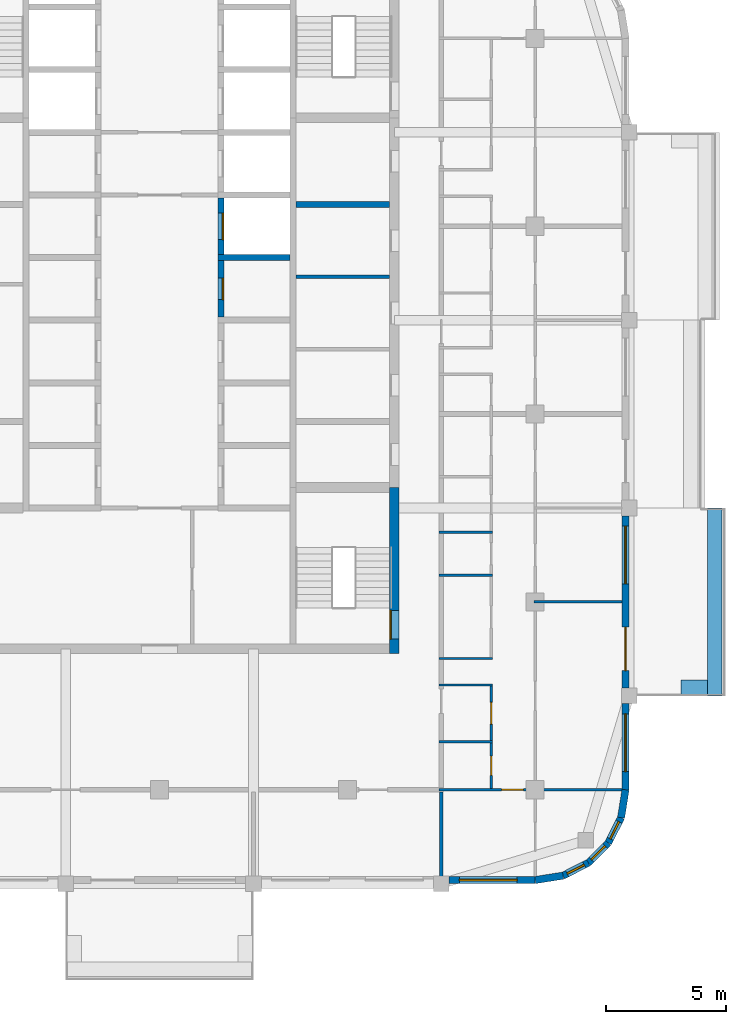
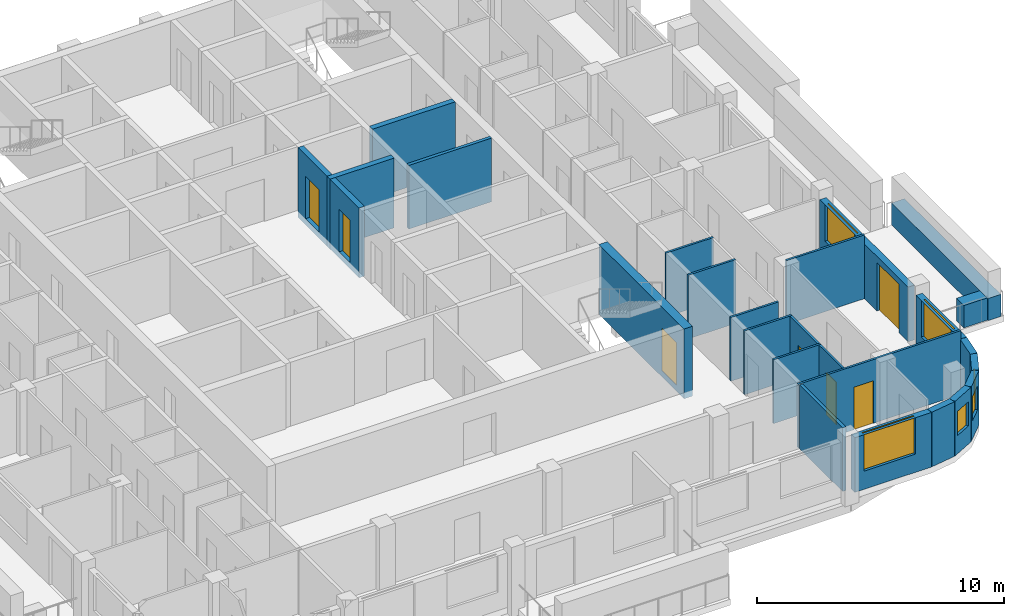
# One storey, part 5 of 13: 25 walls, 7 doors, 6 windows, 13 openings.
"""IFC4 building model written with IfcOpenShell, lengths in metres."""

from ifc_helpers import new_model, si_unit, direction, frame, frame_2d, origin, place, context, subcontext, project, spatial, rectangle, extrude, material, layer, layer_set, type_object, element, fill, save


model = new_model("IFC4")

# Units and contexts
model_context = context("Model", 3, precision=1e-05, world=origin(), true_north=direction((0.0, 1.0)))
body_context = subcontext(model_context, "Body", "Model", "MODEL_VIEW")
ifc_project = project(units=[si_unit("LENGTHUNIT", "METRE"), si_unit("AREAUNIT", "SQUARE_METRE"), si_unit("VOLUMEUNIT", "CUBIC_METRE"), si_unit("PLANEANGLEUNIT", "RADIAN"), si_unit("MASSUNIT", "GRAM", prefix="KILO")], contexts=[model_context])

# Site, building, storey
site_placement = place(None, origin())
site = spatial("IfcSite", under=ifc_project, at=site_placement, CompositionType="ELEMENT")
building_placement = place(site_placement, origin())
building = spatial("IfcBuilding", under=site, at=building_placement, Name="Ludao Terraces", CompositionType="ELEMENT")
storey_placement = place(building_placement, frame((0.0, 0.0, 246.0)))
storey = spatial("IfcBuildingStorey", under=building, at=storey_placement, Name="L67", CompositionType="ELEMENT", Elevation=246.0)

# Wall, opening, door
ifc_material_1 = material(Name="Concrete C50", Category="concrete")
ifc_layer_1 = layer(ifc_material_1, 0.39990234375)
ifc_layer_set_1 = layer_set([ifc_layer_1], Name="Core wall 400 C50")
wall_type_1 = type_object("IfcWallType", Name="Core wall 400 C50", PredefinedType="SOLIDWALL", material=ifc_layer_set_1)
wall_1_placement = place(storey_placement, frame((94.75, 55.050048828125, -0.300048828125), z_axis=(0.0, 0.0, 1.0), x_axis=(0.0, 1.0, 0.0)))
wall_1 = element("IfcWall", 1, at=wall_1_placement, inside=storey, type_object=wall_type_1, Name="Core wall L67 outer-E-S3", PredefinedType="SOLIDWALL", context=body_context, shape_type="SweptSolid", body=[
    extrude(rectangle(XDim=6.89990234375, YDim=0.39990234375, at=frame_2d((3.449951171875, 0.0))), origin(), (0.0, 0.0, 1.0), 3.449951171875),
])
opening_1_placement = place(wall_1_placement, frame((0.60009765625, 0.0, 0.300048828125)))
opening_1 = element("IfcOpeningElement", 2, at=opening_1_placement, cuts=wall_1, Name="Opening R24-017", PredefinedType="OPENING", context=body_context, shape_type="SweptSolid", body=[
    extrude(rectangle(XDim=1.199951171875, YDim=2.10009765625, at=frame_2d((0.60009765625, 1.050048828125))), frame((0.0, 0.2099609375, 0.0), z_axis=(0.0, -1.0, 0.0), x_axis=(1.0, 0.0, 0.0)), (0.0, 0.0, 1.0), 0.419921875),
])
ifc_material_2 = material(Name="Steel Q235", Category="steel")
door_type_1 = type_object("IfcDoorType", Name="INT Stair door 1200", OperationType="DOUBLE_DOOR_SINGLE_SWING", PredefinedType="DOOR", material=ifc_material_2)
door_1_placement = place(opening_1_placement, origin())
door_1 = element("IfcDoor", 3, at=door_1_placement, inside=storey, type_object=door_type_1, Name="DOOR 017", OperationType="DOUBLE_DOOR_SINGLE_SWING", OverallHeight=2.10009765625, OverallWidth=1.199951171875, PredefinedType="DOOR", context=body_context, shape_type="SweptSolid", body=[
    extrude(rectangle(XDim=1.199951171875, YDim=2.10009765625, at=frame_2d((0.60009765625, 1.050048828125))), frame((0.0, 0.18505859375, 0.0), z_axis=(0.0, -1.0, 0.0), x_axis=(1.0, 0.0, 0.0)), (0.0, 0.0, 1.0), 0.050048828125),
])
fill(opening_1, door_1)

# Walls
ifc_material_3 = material(Name="Concrete C40", Category="concrete")
ifc_layer_2 = layer(ifc_material_3, 0.60009765625)
ifc_layer_set_2 = layer_set([ifc_layer_2], Name="ENV Planter trough 600")
wall_type_2 = type_object("IfcWallType", Name="ENV Planter trough 600", PredefinedType="USERDEFINED", material=ifc_layer_set_2)
wall_2_placement = place(storey_placement, frame((108.050048828125, 53.300048828125, 0.0), z_axis=(0.0, 0.0, 1.0), x_axis=(0.0, 1.0, 0.0)))
element("IfcWall", 4, at=wall_2_placement, inside=storey, type_object=wall_type_2, Name="PL-L67-E1", ObjectType="PLANTER", PredefinedType="USERDEFINED", context=body_context, shape_type="SweptSolid", body=[
    extrude(rectangle(XDim=7.800048828125, YDim=0.60009765625, at=frame_2d((3.89990234375, 0.0))), origin(), (0.0, 0.0, 1.0), 1.10009765625),
])
wall_3_placement = place(storey_placement, frame((107.75, 53.64990234375, 0.0), z_axis=(0.0, 0.0, 1.0), x_axis=(-1.0, 0.0, 0.0)))
element("IfcWall", 5, at=wall_3_placement, inside=storey, type_object=wall_type_2, Name="PL-L67-E1-SA", ObjectType="PLANTER", PredefinedType="USERDEFINED", context=body_context, shape_type="SweptSolid", body=[
    extrude(rectangle(XDim=1.10009765625, YDim=0.60009765625, at=frame_2d((0.550048828125, 0.0))), origin(), (0.0, 0.0, 1.0), 1.10009765625),
])

# Wall, opening, window
ifc_material_4 = material(Name="Granite cladding", Category="masonry")
ifc_layer_3 = layer(ifc_material_4, 0.0400390625, Category="stone")
ifc_material_5 = material(Name="Mineral wool")
ifc_layer_4 = layer(ifc_material_5, 0.06005859375)
ifc_layer_5 = layer(ifc_material_3, 0.199951171875, Category="concrete")
ifc_layer_set_3 = layer_set([ifc_layer_3, ifc_layer_4, ifc_layer_5], Name="ENV Stone-clad wall 300")
wall_type_3 = type_object("IfcWallType", Name="ENV Stone-clad wall 300", PredefinedType="SOLIDWALL", material=ifc_layer_set_3)
wall_4_placement = place(storey_placement, frame((97.02490234375, 45.64990234375, 0.0), z_axis=(0.0, 0.0, 1.0), x_axis=(1.0, 0.0, 0.0)))
wall_4 = element("IfcWall", 6, at=wall_4_placement, inside=storey, type_object=wall_type_3, Name="EW-L67-S5", PredefinedType="SOLIDWALL", context=body_context, shape_type="SweptSolid", body=[
    extrude(rectangle(XDim=3.5751953125, YDim=0.300048828125, at=frame_2d((1.78759765625, 0.0))), origin(), (0.0, 0.0, 1.0), 2.699951171875),
])
opening_2_placement = place(wall_4_placement, frame((0.425048828125, 0.0, 0.89990234375)))
opening_2 = element("IfcOpeningElement", 7, at=opening_2_placement, cuts=wall_4, Name="Opening W1", PredefinedType="OPENING", context=body_context, shape_type="SweptSolid", body=[
    extrude(rectangle(XDim=2.39990234375, YDim=1.800048828125, at=frame_2d((1.199951171875, 0.89990234375))), frame((0.0, 0.16015625, 0.0), z_axis=(0.0, -1.0, 0.0), x_axis=(1.0, 0.0, 0.0)), (0.0, 0.0, 1.0), 0.320068359375),
])
ifc_material_6 = material(Name="Clear glass in aluminium frame", Category="aluminium")
ifc_layer_6 = layer(ifc_material_6, 0.06005859375)
ifc_layer_set_4 = layer_set([ifc_layer_6], Name="ENV Window W1 2400x1800")
window_type_1 = type_object("IfcWindowType", Name="ENV Window W1 2400x1800", PartitioningType="DOUBLE_PANEL_VERTICAL", PredefinedType="WINDOW", material=ifc_layer_set_4)
window_1_placement = place(opening_2_placement, origin())
window_1 = element("IfcWindow", 8, at=window_1_placement, inside=storey, type_object=window_type_1, Name="W-L67-S5-1", OverallHeight=1.800048828125, OverallWidth=2.39990234375, PartitioningType="DOUBLE_PANEL_VERTICAL", PredefinedType="WINDOW", context=body_context, shape_type="SweptSolid", body=[
    extrude(rectangle(XDim=2.39990234375, YDim=1.800048828125, at=frame_2d((1.199951171875, 0.89990234375))), frame((0.0, 0.030029296875, 0.0), z_axis=(0.0, -1.0, 0.0), x_axis=(1.0, 0.0, 0.0)), (0.0, 0.0, 1.0), 0.06005859375),
])
fill(opening_2, window_1)

wall_5_placement = place(storey_placement, frame((104.35009765625, 49.39990234375, 0.0), z_axis=(0.0, 0.0, 1.0), x_axis=(0.0, 1.0, 0.0)))
wall_5 = element("IfcWall", 9, at=wall_5_placement, inside=storey, type_object=wall_type_3, Name="EW-L67-E1", PredefinedType="SOLIDWALL", context=body_context, shape_type="SweptSolid", body=[
    extrude(rectangle(XDim=3.5751953125, YDim=0.300048828125, at=frame_2d((1.78759765625, 0.0))), origin(), (0.0, 0.0, 1.0), 2.699951171875),
])
opening_3_placement = place(wall_5_placement, frame((0.75, 0.0, 0.89990234375)))
opening_3 = element("IfcOpeningElement", 10, at=opening_3_placement, cuts=wall_5, Name="Opening W1", PredefinedType="OPENING", context=body_context, shape_type="SweptSolid", body=[
    extrude(rectangle(XDim=2.39990234375, YDim=1.800048828125, at=frame_2d((1.199951171875, 0.89990234375))), frame((0.0, 0.16015625, 0.0), z_axis=(0.0, -1.0, 0.0), x_axis=(1.0, 0.0, 0.0)), (0.0, 0.0, 1.0), 0.320068359375),
])
window_2_placement = place(opening_3_placement, origin())
window_2 = element("IfcWindow", 11, at=window_2_placement, inside=storey, type_object=window_type_1, Name="W-L67-E1-1", OverallHeight=1.800048828125, OverallWidth=2.39990234375, PartitioningType="DOUBLE_PANEL_VERTICAL", PredefinedType="WINDOW", context=body_context, shape_type="SweptSolid", body=[
    extrude(rectangle(XDim=2.39990234375, YDim=1.800048828125, at=frame_2d((1.199951171875, 0.89990234375))), frame((0.0, 0.030029296875, 0.0), z_axis=(0.0, -1.0, 0.0), x_axis=(1.0, 0.0, 0.0)), (0.0, 0.0, 1.0), 0.06005859375),
])
fill(opening_3, window_2)

# Wall, openings, door, window
wall_6_placement = place(storey_placement, frame((104.35009765625, 53.625, 0.0), z_axis=(0.0, 0.0, 1.0), x_axis=(0.0, 1.0, 0.0)))
wall_6 = element("IfcWall", 12, at=wall_6_placement, inside=storey, type_object=wall_type_3, Name="EW-L67-E2", PredefinedType="SOLIDWALL", context=body_context, shape_type="SweptSolid", body=[
    extrude(rectangle(XDim=7.14990234375, YDim=0.300048828125, at=frame_2d((3.574951171875, 0.0))), origin(), (0.0, 0.0, 1.0), 2.699951171875),
])
opening_4_placement = place(wall_6_placement, frame((0.72509765625, 0.0, 0.0)))
opening_4 = element("IfcOpeningElement", 13, at=opening_4_placement, cuts=wall_6, Name="Opening BD", PredefinedType="OPENING", context=body_context, shape_type="SweptSolid", body=[
    extrude(rectangle(XDim=1.800048828125, YDim=2.39990234375, at=frame_2d((0.89990234375, 1.199951171875))), frame((0.0, 0.16015625, 0.0), z_axis=(0.0, -1.0, 0.0), x_axis=(1.0, 0.0, 0.0)), (0.0, 0.0, 1.0), 0.320068359375),
])
opening_5_placement = place(wall_6_placement, frame((4.324951171875, 0.0, 0.89990234375)))
opening_5 = element("IfcOpeningElement", 14, at=opening_5_placement, cuts=wall_6, Name="Opening W1", PredefinedType="OPENING", context=body_context, shape_type="SweptSolid", body=[
    extrude(rectangle(XDim=2.39990234375, YDim=1.800048828125, at=frame_2d((1.199951171875, 0.89990234375))), frame((0.0, 0.16015625, 0.0), z_axis=(0.0, -1.0, 0.0), x_axis=(1.0, 0.0, 0.0)), (0.0, 0.0, 1.0), 0.320068359375),
])
ifc_material_7 = material(Name="Aluminium glazed door", Category="aluminium")
ifc_layer_7 = layer(ifc_material_7, 0.06005859375)
ifc_layer_set_5 = layer_set([ifc_layer_7], Name="ENV Balcony door BD 1800x2400")
door_type_2 = type_object("IfcDoorType", Name="ENV Balcony door BD 1800x2400", OperationType="DOUBLE_DOOR_SINGLE_SWING", PredefinedType="DOOR", material=ifc_layer_set_5)
door_2_placement = place(opening_4_placement, origin())
door_2 = element("IfcDoor", 15, at=door_2_placement, inside=storey, type_object=door_type_2, Name="BD-L67-E2-1", OperationType="DOUBLE_DOOR_SINGLE_SWING", OverallHeight=2.39990234375, OverallWidth=1.800048828125, PredefinedType="DOOR", context=body_context, shape_type="SweptSolid", body=[
    extrude(rectangle(XDim=1.800048828125, YDim=2.39990234375, at=frame_2d((0.89990234375, 1.199951171875))), frame((0.0, 0.02490234375, 0.0), z_axis=(0.0, -1.0, 0.0), x_axis=(1.0, 0.0, 0.0)), (0.0, 0.0, 1.0), 0.050048828125),
])
fill(opening_4, door_2)
window_3_placement = place(opening_5_placement, origin())
window_3 = element("IfcWindow", 16, at=window_3_placement, inside=storey, type_object=window_type_1, Name="W-L67-E2-2", OverallHeight=1.800048828125, OverallWidth=2.39990234375, PartitioningType="DOUBLE_PANEL_VERTICAL", PredefinedType="WINDOW", context=body_context, shape_type="SweptSolid", body=[
    extrude(rectangle(XDim=2.39990234375, YDim=1.800048828125, at=frame_2d((1.199951171875, 0.89990234375))), frame((0.0, 0.030029296875, 0.0), z_axis=(0.0, -1.0, 0.0), x_axis=(1.0, 0.0, 0.0)), (0.0, 0.0, 1.0), 0.06005859375),
])
fill(opening_5, window_3)

# Wall
wall_7_placement = place(storey_placement, frame((100.60009765625, 45.64990234375, 0.0), z_axis=(0.0, 0.0, 1.0), x_axis=(0.987678452879, 0.156496880861, 0.0)))
element("IfcWall", 17, at=wall_7_placement, inside=storey, type_object=wall_type_3, Name="EW-L67-SE1", PredefinedType="SOLIDWALL", context=body_context, shape_type="SweptSolid", body=[
    extrude(rectangle(XDim=1.173095703125, YDim=0.300048828125, at=frame_2d((0.58642578125, 0.0))), origin(), (0.0, 0.0, 1.0), 2.699951171875),
])

# Wall, opening, window
wall_8_placement = place(storey_placement, frame((101.7587890625, 45.83349609375, 0.0), z_axis=(0.0, 0.0, 1.0), x_axis=(0.890988677504, 0.454025524128, 0.0)))
wall_8 = element("IfcWall", 18, at=wall_8_placement, inside=storey, type_object=wall_type_3, Name="EW-L67-SE2", PredefinedType="SOLIDWALL", context=body_context, shape_type="SweptSolid", body=[
    extrude(rectangle(XDim=1.17333984375, YDim=0.300048828125, at=frame_2d((0.586669921875, 0.0))), origin(), (0.0, 0.0, 1.0), 2.699951171875),
])
opening_6_placement = place(wall_8_placement, frame((0.1865234375, 0.0, 0.89990234375)))
opening_6 = element("IfcOpeningElement", 19, at=opening_6_placement, cuts=wall_8, Name="Opening W3", PredefinedType="OPENING", context=body_context, shape_type="SweptSolid", body=[
    extrude(rectangle(XDim=0.800048828125, YDim=1.199951171875, at=frame_2d((0.39990234375, 0.60009765625))), frame((0.0, 0.16015625, 0.0), z_axis=(0.0, -1.0, 0.0), x_axis=(1.0, 0.0, 0.0)), (0.0, 0.0, 1.0), 0.320068359375),
])
ifc_layer_8 = layer(ifc_material_6, 0.06005859375)
ifc_layer_set_6 = layer_set([ifc_layer_8], Name="ENV Window W3 800x1200")
window_type_2 = type_object("IfcWindowType", Name="ENV Window W3 800x1200", PartitioningType="SINGLE_PANEL", PredefinedType="WINDOW", material=ifc_layer_set_6)
window_4_placement = place(opening_6_placement, origin())
window_4 = element("IfcWindow", 20, at=window_4_placement, inside=storey, type_object=window_type_2, Name="W-L67-SE2", OverallHeight=1.199951171875, OverallWidth=0.800048828125, PartitioningType="SINGLE_PANEL", PredefinedType="WINDOW", context=body_context, shape_type="SweptSolid", body=[
    extrude(rectangle(XDim=0.800048828125, YDim=1.199951171875, at=frame_2d((0.39990234375, 0.60009765625))), frame((0.0, 0.030029296875, 0.0), z_axis=(0.0, -1.0, 0.0), x_axis=(1.0, 0.0, 0.0)), (0.0, 0.0, 1.0), 0.06005859375),
])
fill(opening_6, window_4)

wall_9_placement = place(storey_placement, frame((102.80419921875, 46.3662109375, 0.0), z_axis=(0.0, 0.0, 1.0), x_axis=(0.707106781187, 0.707106781187, 0.0)))
wall_9 = element("IfcWall", 21, at=wall_9_placement, inside=storey, type_object=wall_type_3, Name="EW-L67-SE3", PredefinedType="SOLIDWALL", context=body_context, shape_type="SweptSolid", body=[
    extrude(rectangle(XDim=1.173095703125, YDim=0.300048828125, at=frame_2d((0.58642578125, 0.0))), origin(), (0.0, 0.0, 1.0), 2.699951171875),
])
opening_7_placement = place(wall_9_placement, frame((0.1865234375, 0.0, 0.89990234375)))
opening_7 = element("IfcOpeningElement", 22, at=opening_7_placement, cuts=wall_9, Name="Opening W3", PredefinedType="OPENING", context=body_context, shape_type="SweptSolid", body=[
    extrude(rectangle(XDim=0.800048828125, YDim=1.199951171875, at=frame_2d((0.39990234375, 0.60009765625))), frame((0.0, 0.16015625, 0.0), z_axis=(0.0, -1.0, 0.0), x_axis=(1.0, 0.0, 0.0)), (0.0, 0.0, 1.0), 0.320068359375),
])
window_5_placement = place(opening_7_placement, origin())
window_5 = element("IfcWindow", 23, at=window_5_placement, inside=storey, type_object=window_type_2, Name="W-L67-SE3", OverallHeight=1.199951171875, OverallWidth=0.800048828125, PartitioningType="SINGLE_PANEL", PredefinedType="WINDOW", context=body_context, shape_type="SweptSolid", body=[
    extrude(rectangle(XDim=0.800048828125, YDim=1.199951171875, at=frame_2d((0.39990234375, 0.60009765625))), frame((0.0, 0.030029296875, 0.0), z_axis=(0.0, -1.0, 0.0), x_axis=(1.0, 0.0, 0.0)), (0.0, 0.0, 1.0), 0.06005859375),
])
fill(opening_7, window_5)

wall_10_placement = place(storey_placement, frame((103.6337890625, 47.19580078125, 0.0), z_axis=(0.0, 0.0, 1.0), x_axis=(0.454025524128, 0.890988677504, 0.0)))
wall_10 = element("IfcWall", 24, at=wall_10_placement, inside=storey, type_object=wall_type_3, Name="EW-L67-SE4", PredefinedType="SOLIDWALL", context=body_context, shape_type="SweptSolid", body=[
    extrude(rectangle(XDim=1.17333984375, YDim=0.300048828125, at=frame_2d((0.586669921875, 0.0))), origin(), (0.0, 0.0, 1.0), 2.699951171875),
])
opening_8_placement = place(wall_10_placement, frame((0.1865234375, 0.0, 0.89990234375)))
opening_8 = element("IfcOpeningElement", 25, at=opening_8_placement, cuts=wall_10, Name="Opening W3", PredefinedType="OPENING", context=body_context, shape_type="SweptSolid", body=[
    extrude(rectangle(XDim=0.800048828125, YDim=1.199951171875, at=frame_2d((0.39990234375, 0.60009765625))), frame((0.0, 0.16015625, 0.0), z_axis=(0.0, -1.0, 0.0), x_axis=(1.0, 0.0, 0.0)), (0.0, 0.0, 1.0), 0.320068359375),
])
window_6_placement = place(opening_8_placement, origin())
window_6 = element("IfcWindow", 26, at=window_6_placement, inside=storey, type_object=window_type_2, Name="W-L67-SE4", OverallHeight=1.199951171875, OverallWidth=0.800048828125, PartitioningType="SINGLE_PANEL", PredefinedType="WINDOW", context=body_context, shape_type="SweptSolid", body=[
    extrude(rectangle(XDim=0.800048828125, YDim=1.199951171875, at=frame_2d((0.39990234375, 0.60009765625))), frame((0.0, 0.030029296875, 0.0), z_axis=(0.0, -1.0, 0.0), x_axis=(1.0, 0.0, 0.0)), (0.0, 0.0, 1.0), 0.06005859375),
])
fill(opening_8, window_6)

# Walls
wall_11_placement = place(storey_placement, frame((104.16650390625, 48.2412109375, 0.0), z_axis=(0.0, 0.0, 1.0), x_axis=(0.156496880861, 0.987678452879, 0.0)))
element("IfcWall", 27, at=wall_11_placement, inside=storey, type_object=wall_type_3, Name="EW-L67-SE5", PredefinedType="SOLIDWALL", context=body_context, shape_type="SweptSolid", body=[
    extrude(rectangle(XDim=1.173095703125, YDim=0.300048828125, at=frame_2d((0.58642578125, 0.0))), origin(), (0.0, 0.0, 1.0), 2.699951171875),
])
ifc_material_8 = material(Name="Fire-rated gypsum plasterboard", Category="gypsum")
ifc_layer_9 = layer(ifc_material_8, 0.012451171875, Category="gypsum")
ifc_layer_10 = layer(ifc_material_5, 0.10009765625, Name="insulation")
ifc_layer_11 = layer(ifc_material_2, 0.02490234375, Name="stud")
ifc_layer_12 = layer(ifc_material_8, 0.012451171875, Category="gypsum")
ifc_layer_set_7 = layer_set([ifc_layer_9, ifc_layer_10, ifc_layer_11, ifc_layer_12], Name="INT Core partition 150")
wall_type_4 = type_object("IfcWallType", Name="INT Core partition 150", PredefinedType="PARTITIONING", material=ifc_layer_set_7)
wall_12_placement = place(storey_placement, frame((90.675048828125, 70.699951171875, 0.0), z_axis=(0.0, 0.0, 1.0), x_axis=(1.0, 0.0, 0.0)))
element("IfcWall", 28, at=wall_12_placement, inside=storey, type_object=wall_type_4, Name="PW-L67-PW033", PredefinedType="PARTITIONING", context=body_context, shape_type="SweptSolid", body=[
    extrude(rectangle(XDim=3.875, YDim=0.14990234375, at=frame_2d((1.9375, 0.0))), origin(), (0.0, 0.0, 1.0), 3.14990234375),
])

# Wall, opening, door
ifc_material_9 = material(Name="Gypsum plasterboard", Category="gypsum")
ifc_layer_13 = layer(ifc_material_9, 0.012451171875, Category="gypsum")
ifc_layer_14 = layer(ifc_material_5, 0.06005859375, Name="insulation")
ifc_layer_15 = layer(ifc_material_2, 0.014892578125, Name="stud")
ifc_layer_16 = layer(ifc_material_9, 0.012451171875, Category="gypsum")
ifc_layer_set_8 = layer_set([ifc_layer_13, ifc_layer_14, ifc_layer_15, ifc_layer_16], Name="INT Partition 100")
wall_type_5 = type_object("IfcWallType", Name="INT Partition 100", PredefinedType="PARTITIONING", material=ifc_layer_set_8)
wall_13_placement = place(storey_placement, frame((96.60009765625, 49.39990234375, 0.0), z_axis=(0.0, 0.0, 1.0), x_axis=(1.0, 0.0, 0.0)))
wall_13 = element("IfcWall", 29, at=wall_13_placement, inside=storey, type_object=wall_type_5, Name="PW-L67-PW002", PredefinedType="PARTITIONING", context=body_context, shape_type="SweptSolid", body=[
    extrude(rectangle(XDim=7.60009765625, YDim=0.10009765625, at=frame_2d((3.800048828125, 0.0))), origin(), (0.0, 0.0, 1.0), 3.14990234375),
])
opening_9_placement = place(wall_13_placement, frame((2.610107421875, 0.0, 0.0)))
opening_9 = element("IfcOpeningElement", 30, at=opening_9_placement, cuts=wall_13, Name="Opening R24-006", PredefinedType="OPENING", context=body_context, shape_type="SweptSolid", body=[
    extrude(rectangle(XDim=0.89990234375, YDim=2.10009765625, at=frame_2d((0.449951171875, 1.050048828125))), frame((0.0, 0.06005859375, 0.0), z_axis=(0.0, -1.0, 0.0), x_axis=(1.0, 0.0, 0.0)), (0.0, 0.0, 1.0), 0.1201171875),
])
ifc_material_10 = material(Name="Timber door leaf", Category="wood")
door_type_3 = type_object("IfcDoorType", Name="INT Room door 900", OperationType="SINGLE_SWING_LEFT", PredefinedType="DOOR", material=ifc_material_10)
door_3_placement = place(opening_9_placement, origin())
door_3 = element("IfcDoor", 31, at=door_3_placement, inside=storey, type_object=door_type_3, Name="DOOR 006", OperationType="SINGLE_SWING_LEFT", OverallHeight=2.10009765625, OverallWidth=0.89990234375, PredefinedType="DOOR", context=body_context, shape_type="SweptSolid", body=[
    extrude(rectangle(XDim=0.89990234375, YDim=2.10009765625, at=frame_2d((0.449951171875, 1.050048828125))), frame((0.0, 0.02490234375, 0.0), z_axis=(0.0, -1.0, 0.0), x_axis=(1.0, 0.0, 0.0)), (0.0, 0.0, 1.0), 0.050048828125),
])
fill(opening_9, door_3)

# Walls
for number, where, z_axis, x_axis, name in (
    (32, (96.60009765625, 51.39990234375, 0.0), (0.0, 0.0, 1.0), (1.0, 0.0, 0.0), "PW-L67-PW003"),
    (33, (96.60009765625, 53.75, 0.0), (0.0, 0.0, 1.0), (1.0, 0.0, 0.0), "PW-L67-PW006"),
    (34, (96.60009765625, 54.85009765625, 0.0), (0.0, 0.0, 1.0), (1.0, 0.0, 0.0), "PW-L67-PW008"),
):
    element("IfcWall", number, at=place(storey_placement, frame(where, z_axis=z_axis, x_axis=x_axis)), inside=storey, type_object=wall_type_5, Name=name, PredefinedType="PARTITIONING", context=body_context, shape_type="SweptSolid", body=[
        extrude(rectangle(XDim=2.219970703125, YDim=0.10009765625, at=frame_2d((1.10986328125, 0.0))), origin(), (0.0, 0.0, 1.0), 3.14990234375),
    ])
wall_14_placement = place(storey_placement, frame((100.550048828125, 57.199951171875, 0.0), z_axis=(0.0, 0.0, 1.0), x_axis=(1.0, 0.0, 0.0)))
element("IfcWall", 35, at=wall_14_placement, inside=storey, type_object=wall_type_5, Name="PW-L67-PW011", PredefinedType="PARTITIONING", context=body_context, shape_type="SweptSolid", body=[
    extrude(rectangle(XDim=3.650146484375, YDim=0.10009765625, at=frame_2d((1.8251953125, 0.0))), origin(), (0.0, 0.0, 1.0), 3.14990234375),
])
for number, where, z_axis, x_axis, name in (
    (36, (96.60009765625, 58.300048828125, 0.0), (0.0, 0.0, 1.0), (1.0, 0.0, 0.0), "PW-L67-PW013"),
    (37, (96.60009765625, 60.10009765625, 0.0), (0.0, 0.0, 1.0), (1.0, 0.0, 0.0), "PW-L67-PW015"),
):
    element("IfcWall", number, at=place(storey_placement, frame(where, z_axis=z_axis, x_axis=x_axis)), inside=storey, type_object=wall_type_5, Name=name, PredefinedType="PARTITIONING", context=body_context, shape_type="SweptSolid", body=[
        extrude(rectangle(XDim=2.219970703125, YDim=0.10009765625, at=frame_2d((1.10986328125, 0.0))), origin(), (0.0, 0.0, 1.0), 3.14990234375),
    ])

# Wall, openings, doors
wall_15_placement = place(storey_placement, frame((98.77001953125, 49.4501953125, 0.0), z_axis=(0.0, 0.0, 1.0), x_axis=(0.0, 1.0, 0.0)))
wall_15 = element("IfcWall", 38, at=wall_15_placement, inside=storey, type_object=wall_type_5, Name="PW-L67-PW057", PredefinedType="PARTITIONING", context=body_context, shape_type="SweptSolid", body=[
    extrude(rectangle(XDim=4.25, YDim=0.10009765625, at=frame_2d((2.125, 0.0))), origin(), (0.0, 0.0, 1.0), 3.14990234375),
])
opening_10_placement = place(wall_15_placement, frame((0.5498046875, 0.0, 0.0)))
opening_10 = element("IfcOpeningElement", 39, at=opening_10_placement, cuts=wall_15, Name="Opening R24-007", PredefinedType="OPENING", context=body_context, shape_type="SweptSolid", body=[
    extrude(rectangle(XDim=0.800048828125, YDim=2.10009765625, at=frame_2d((0.39990234375, 1.050048828125))), frame((0.0, 0.06005859375, 0.0), z_axis=(0.0, -1.0, 0.0), x_axis=(1.0, 0.0, 0.0)), (0.0, 0.0, 1.0), 0.1201171875),
])
opening_11_placement = place(wall_15_placement, frame((2.6748046875, 0.0, 0.0)))
opening_11 = element("IfcOpeningElement", 40, at=opening_11_placement, cuts=wall_15, Name="Opening R24-010", PredefinedType="OPENING", context=body_context, shape_type="SweptSolid", body=[
    extrude(rectangle(XDim=0.89990234375, YDim=2.10009765625, at=frame_2d((0.449951171875, 1.050048828125))), frame((0.0, 0.06005859375, 0.0), z_axis=(0.0, -1.0, 0.0), x_axis=(1.0, 0.0, 0.0)), (0.0, 0.0, 1.0), 0.1201171875),
])
door_type_4 = type_object("IfcDoorType", Name="INT Bathroom door 900", OperationType="SINGLE_SWING_LEFT", PredefinedType="DOOR", material=ifc_material_10)
door_4_placement = place(opening_11_placement, origin())
door_4 = element("IfcDoor", 41, at=door_4_placement, inside=storey, type_object=door_type_4, Name="DOOR 010", OperationType="SINGLE_SWING_LEFT", OverallHeight=2.10009765625, OverallWidth=0.89990234375, PredefinedType="DOOR", context=body_context, shape_type="SweptSolid", body=[
    extrude(rectangle(XDim=0.89990234375, YDim=2.10009765625, at=frame_2d((0.449951171875, 1.050048828125))), frame((0.0, 0.02490234375, 0.0), z_axis=(0.0, -1.0, 0.0), x_axis=(1.0, 0.0, 0.0)), (0.0, 0.0, 1.0), 0.050048828125),
])
fill(opening_11, door_4)
door_type_5 = type_object("IfcDoorType", Name="INT Store door 800", OperationType="SINGLE_SWING_LEFT", PredefinedType="DOOR", material=ifc_material_10)
door_5_placement = place(opening_10_placement, origin())
door_5 = element("IfcDoor", 42, at=door_5_placement, inside=storey, type_object=door_type_5, Name="DOOR 007", OperationType="SINGLE_SWING_LEFT", OverallHeight=2.10009765625, OverallWidth=0.800048828125, PredefinedType="DOOR", context=body_context, shape_type="SweptSolid", body=[
    extrude(rectangle(XDim=0.800048828125, YDim=2.10009765625, at=frame_2d((0.39990234375, 1.050048828125))), frame((0.0, 0.02490234375, 0.0), z_axis=(0.0, -1.0, 0.0), x_axis=(1.0, 0.0, 0.0)), (0.0, 0.0, 1.0), 0.050048828125),
])
fill(opening_10, door_5)

# Wall
ifc_material_11 = material(Name="Autoclaved aerated concrete block B06 A3.5", Category="concrete")
ifc_layer_17 = layer(ifc_material_11, 0.14990234375)
ifc_layer_set_9 = layer_set([ifc_layer_17], Name="INT Party wall 150")
wall_type_6 = type_object("IfcWallType", Name="INT Party wall 150", PredefinedType="PARTITIONING", material=ifc_layer_set_9)
wall_16_placement = place(storey_placement, frame((96.699951171875, 45.800048828125, 0.0), z_axis=(0.0, 0.0, 1.0), x_axis=(0.0, 1.0, 0.0)))
element("IfcWall", 43, at=wall_16_placement, inside=storey, type_object=wall_type_6, Name="PW-L67-PW055", PredefinedType="PARTITIONING", context=body_context, shape_type="SweptSolid", body=[
    extrude(rectangle(XDim=3.5, YDim=0.14990234375, at=frame_2d((1.75, 0.0))), origin(), (0.0, 0.0, 1.0), 3.14990234375),
])

# Wall, opening, door
ifc_layer_18 = layer(ifc_material_1, 0.25)
ifc_layer_set_10 = layer_set([ifc_layer_18], Name="Shaft wall 250 C50")
wall_type_7 = type_object("IfcWallType", Name="Shaft wall 250 C50", PredefinedType="SOLIDWALL", material=ifc_layer_set_10)
wall_17_placement = place(storey_placement, frame((87.550048828125, 69.02490234375, -0.300048828125), z_axis=(0.0, 0.0, 1.0), x_axis=(0.0, 1.0, 0.0)))
wall_17 = element("IfcWall", 44, at=wall_17_placement, inside=storey, type_object=wall_type_7, Name="Core wall L67 front-E4", PredefinedType="SOLIDWALL", context=body_context, shape_type="SweptSolid", body=[
    extrude(rectangle(XDim=2.35009765625, YDim=0.25, at=frame_2d((1.175048828125, 0.0))), origin(), (0.0, 0.0, 1.0), 3.449951171875),
])
opening_12_placement = place(wall_17_placement, frame((0.72509765625, 0.0, 0.300048828125)))
opening_12 = element("IfcOpeningElement", 45, at=opening_12_placement, cuts=wall_17, Name="Opening R24-052", PredefinedType="OPENING", context=body_context, shape_type="SweptSolid", body=[
    extrude(rectangle(XDim=0.89990234375, YDim=2.10009765625, at=frame_2d((0.449951171875, 1.050048828125))), frame((0.0, 0.135009765625, 0.0), z_axis=(0.0, -1.0, 0.0), x_axis=(1.0, 0.0, 0.0)), (0.0, 0.0, 1.0), 0.27001953125),
])
door_6_placement = place(opening_12_placement, origin())
door_6 = element("IfcDoor", 46, at=door_6_placement, inside=storey, type_object=door_type_3, Name="DOOR 052", OperationType="SINGLE_SWING_LEFT", OverallHeight=2.10009765625, OverallWidth=0.89990234375, PredefinedType="DOOR", context=body_context, shape_type="SweptSolid", body=[
    extrude(rectangle(XDim=0.89990234375, YDim=2.10009765625, at=frame_2d((0.449951171875, 1.050048828125))), frame((0.0, -0.06005859375, 0.0), z_axis=(0.0, -1.0, 0.0), x_axis=(1.0, 0.0, 0.0)), (0.0, 0.0, 1.0), 0.050048828125),
])
fill(opening_12, door_6)

# Wall
wall_18_placement = place(storey_placement, frame((87.425048828125, 71.5, -0.300048828125), z_axis=(0.0, 0.0, 1.0), x_axis=(1.0, 0.0, 0.0)))
element("IfcWall", 47, at=wall_18_placement, inside=storey, type_object=wall_type_7, Name="Core wall L67 div-E5", PredefinedType="SOLIDWALL", context=body_context, shape_type="SweptSolid", body=[
    extrude(rectangle(XDim=3.0, YDim=0.25, at=frame_2d((1.5, 0.0))), origin(), (0.0, 0.0, 1.0), 3.449951171875),
])

# Wall, opening, door
wall_19_placement = place(storey_placement, frame((87.550048828125, 71.625, -0.300048828125), z_axis=(0.0, 0.0, 1.0), x_axis=(0.0, 1.0, 0.0)))
wall_19 = element("IfcWall", 48, at=wall_19_placement, inside=storey, type_object=wall_type_7, Name="Core wall L67 front-E5", PredefinedType="SOLIDWALL", context=body_context, shape_type="SweptSolid", body=[
    extrude(rectangle(XDim=2.35009765625, YDim=0.25, at=frame_2d((1.175048828125, 0.0))), origin(), (0.0, 0.0, 1.0), 3.449951171875),
])
opening_13_placement = place(wall_19_placement, frame((0.625, 0.0, 0.300048828125)))
opening_13 = element("IfcOpeningElement", 49, at=opening_13_placement, cuts=wall_19, Name="Opening LD-LB1", PredefinedType="OPENING", context=body_context, shape_type="SweptSolid", body=[
    extrude(rectangle(XDim=1.10009765625, YDim=2.10009765625, at=frame_2d((0.550048828125, 1.050048828125))), frame((0.0, 0.135009765625, 0.0), z_axis=(0.0, -1.0, 0.0), x_axis=(1.0, 0.0, 0.0)), (0.0, 0.0, 1.0), 0.27001953125),
])
ifc_material_12 = material(Name="Stainless steel 304", Category="steel")
door_type_6 = type_object("IfcDoorType", Name="INT Lift landing door 1100", OperationType="SLIDING_TO_LEFT", PredefinedType="DOOR", material=ifc_material_12)
door_7_placement = place(opening_13_placement, origin())
door_7 = element("IfcDoor", 50, at=door_7_placement, inside=storey, type_object=door_type_6, Name="LANDING DOOR LB1 L67", OperationType="SLIDING_TO_LEFT", OverallHeight=2.10009765625, OverallWidth=1.10009765625, PredefinedType="DOOR", context=body_context, shape_type="SweptSolid", body=[
    extrude(rectangle(XDim=1.10009765625, YDim=2.10009765625, at=frame_2d((0.550048828125, 1.050048828125))), frame((0.0, -0.06005859375, 0.0), z_axis=(0.0, -1.0, 0.0), x_axis=(1.0, 0.0, 0.0)), (0.0, 0.0, 1.0), 0.050048828125),
])
fill(opening_13, door_7)

# Wall
wall_20_placement = place(storey_placement, frame((90.675048828125, 73.699951171875, -0.300048828125), z_axis=(0.0, 0.0, 1.0), x_axis=(1.0, 0.0, 0.0)))
element("IfcWall", 51, at=wall_20_placement, inside=storey, type_object=wall_type_7, Name="Core wall L67 riser-b-E", PredefinedType="SOLIDWALL", context=body_context, shape_type="SweptSolid", body=[
    extrude(rectangle(XDim=3.875, YDim=0.25, at=frame_2d((1.9375, 0.0))), origin(), (0.0, 0.0, 1.0), 3.449951171875),
])

save(model, "model.ifc")
